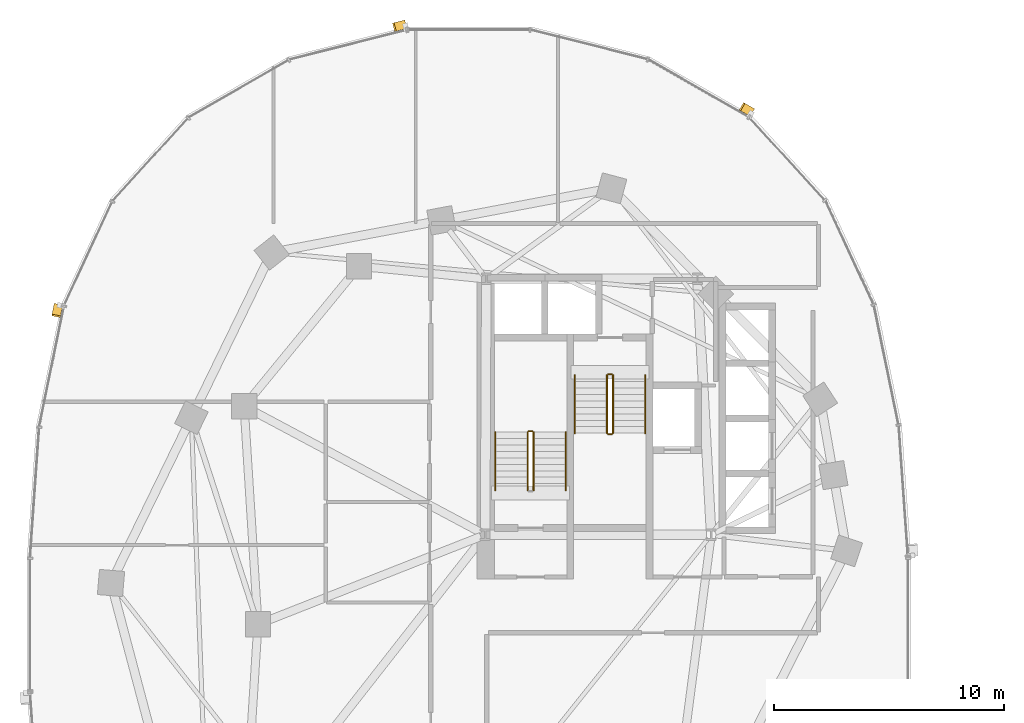
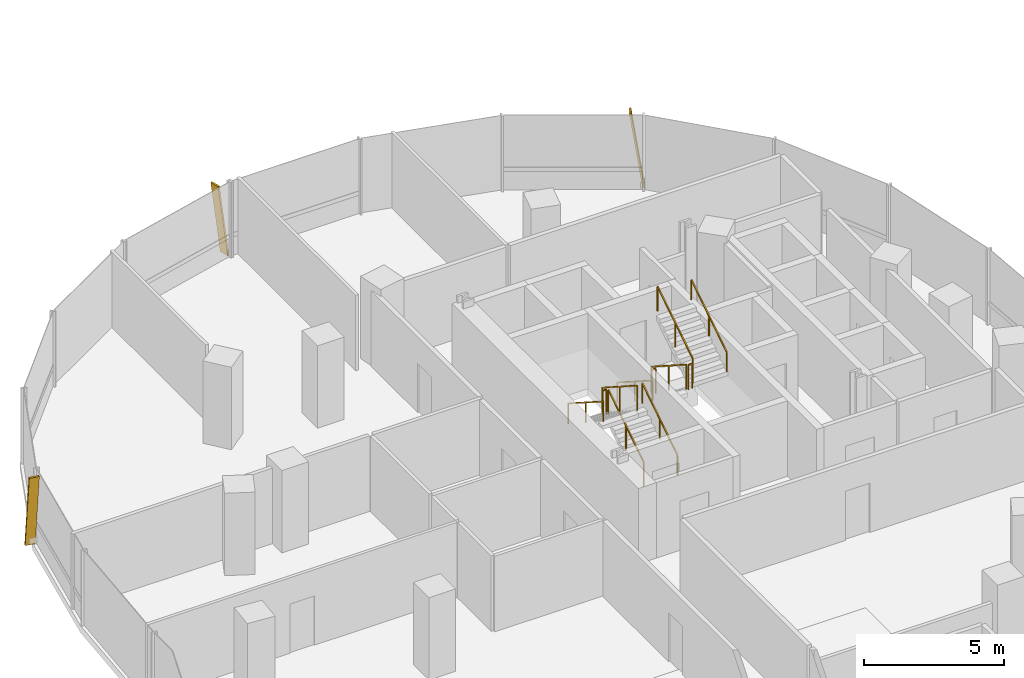
# One storey, part 19 of 21: 11 railings, 3 shading devices.
"""IFC4 building model written with IfcOpenShell, lengths in metres."""

from ifc_helpers import new_model, si_unit, direction, frame, origin, origin_2d, place, context, subcontext, project, spatial, rectangle, extrude, material, material_profile, profile_set, type_object, element, save


model = new_model("IFC4")

# Units and contexts
model_context = context("Model", 3, precision=1e-05, world=origin(), true_north=direction((0.0, 1.0)))
body_context = subcontext(model_context, "Body", "Model", "MODEL_VIEW")
ifc_project = project(units=[si_unit("LENGTHUNIT", "METRE"), si_unit("AREAUNIT", "SQUARE_METRE"), si_unit("VOLUMEUNIT", "CUBIC_METRE"), si_unit("PLANEANGLEUNIT", "RADIAN"), si_unit("MASSUNIT", "GRAM", prefix="KILO"), si_unit("THERMODYNAMICTEMPERATUREUNIT", "KELVIN"), si_unit("POWERUNIT", "WATT")], contexts=[model_context])

# Site, building, storey
site_placement = place(None, origin())
site = spatial("IfcSite", under=ifc_project, at=site_placement, CompositionType="ELEMENT")
building_placement = place(site_placement, origin())
building = spatial("IfcBuilding", under=site, at=building_placement, Name="Cundina Bronze Exchange", CompositionType="ELEMENT")
storey_placement = place(building_placement, frame((0.0, 0.0, 92.60009765625)))
storey = spatial("IfcBuildingStorey", under=building, at=storey_placement, Name="L23", CompositionType="ELEMENT", Elevation=92.60009765625)

# Railings
ifc_material_1 = material(Name="Steel ASTM A36 Painted", Category="steel")
railing_type_1 = type_object("IfcRailingType", Name="RLG-HND-900", PredefinedType="HANDRAIL", material=ifc_material_1)
railing_1_placement = place(storey_placement, frame((-27.7900390625, 5.85009765625, 0.179931640625)))
element("IfcRailing", 1, at=railing_1_placement, inside=storey, type_object=railing_type_1, Name="L23 ST-W1 stair handrail 1", PredefinedType="HANDRAIL", context=body_context, shape_type="SweptSolid", body=[
    extrude(rectangle(XDim=0.048095703125, YDim=0.048095703125, at=origin_2d()), frame((0.0, 0.0, 0.8759765625), z_axis=(0.0, 0.841199657755, 0.540724639528), x_axis=(-1.0, 0.0, 0.0)), (0.0, 0.0, 1.0), 2.995849609375),
    extrude(rectangle(XDim=0.0419921875, YDim=0.0419921875, at=origin_2d()), origin(), (0.0, 0.0, 1.0), 0.851806640625),
    extrude(rectangle(XDim=0.0419921875, YDim=0.0419921875, at=origin_2d()), frame((0.0, 1.260009765625, 0.81005859375)), (0.0, 0.0, 1.0), 0.851806640625),
    extrude(rectangle(XDim=0.0419921875, YDim=0.0419921875, at=origin_2d()), frame((0.0, 2.52001953125, 1.619873046875)), (0.0, 0.0, 1.0), 0.851806640625),
])
for number, where, name in (
    (2, (-30.85009765625, 8.3701171875, 1.97998046875), "L23 ST-W1 stair handrail 2"),
    (3, (-27.389892578125, 10.85009765625, 0.179931640625), "L23 ST-W2 stair handrail 1"),
):
    element("IfcRailing", number, at=place(storey_placement, frame(where)), inside=storey, type_object=railing_type_1, Name=name, PredefinedType="HANDRAIL", context=body_context, shape_type="SweptSolid", body=[
        extrude(rectangle(XDim=0.048095703125, YDim=0.048095703125, at=origin_2d()), frame((0.0, 0.0, 0.8759765625), z_axis=(0.0, -0.841199657755, 0.540724639528), x_axis=(1.0, 0.0, 0.0)), (0.0, 0.0, 1.0), 2.995849609375),
        extrude(rectangle(XDim=0.0419921875, YDim=0.0419921875, at=origin_2d()), origin(), (0.0, 0.0, 1.0), 0.851806640625),
        extrude(rectangle(XDim=0.0419921875, YDim=0.0419921875, at=origin_2d()), frame((0.0, -1.260009765625, 0.81005859375)), (0.0, 0.0, 1.0), 0.851806640625),
        extrude(rectangle(XDim=0.0419921875, YDim=0.0419921875, at=origin_2d()), frame((0.0, -2.52001953125, 1.619873046875)), (0.0, 0.0, 1.0), 0.851806640625),
    ])
railing_2_placement = place(storey_placement, frame((-24.330078125, 8.330078125, 1.97998046875)))
element("IfcRailing", 4, at=railing_2_placement, inside=storey, type_object=railing_type_1, Name="L23 ST-W2 stair handrail 2", PredefinedType="HANDRAIL", context=body_context, shape_type="SweptSolid", body=[
    extrude(rectangle(XDim=0.048095703125, YDim=0.048095703125, at=origin_2d()), frame((0.0, 0.0, 0.8759765625), z_axis=(0.0, 0.841199657755, 0.540724639528), x_axis=(-1.0, 0.0, 0.0)), (0.0, 0.0, 1.0), 2.995849609375),
    extrude(rectangle(XDim=0.0419921875, YDim=0.0419921875, at=origin_2d()), origin(), (0.0, 0.0, 1.0), 0.851806640625),
    extrude(rectangle(XDim=0.0419921875, YDim=0.0419921875, at=origin_2d()), frame((0.0, 1.260009765625, 0.81005859375)), (0.0, 0.0, 1.0), 0.851806640625),
    extrude(rectangle(XDim=0.0419921875, YDim=0.0419921875, at=origin_2d()), frame((0.0, 2.52001953125, 1.619873046875)), (0.0, 0.0, 1.0), 0.851806640625),
])
railing_type_2 = type_object("IfcRailingType", Name="RLG-STG-1100", PredefinedType="GUARDRAIL", material=ifc_material_1)
railing_3_placement = place(storey_placement, frame((-29.18994140625, 5.85009765625, 0.179931640625)))
element("IfcRailing", 5, at=railing_3_placement, inside=storey, type_object=railing_type_2, Name="L23 ST-W1 stair guard 1", PredefinedType="GUARDRAIL", context=body_context, shape_type="SweptSolid", body=[
    extrude(rectangle(XDim=0.048095703125, YDim=0.048095703125, at=origin_2d()), frame((0.0, 0.0, 1.076171875), z_axis=(0.0, 0.841199657755, 0.540724639528), x_axis=(-1.0, 0.0, 0.0)), (0.0, 0.0, 1.0), 2.995849609375),
    extrude(rectangle(XDim=0.0419921875, YDim=0.0419921875, at=origin_2d()), origin(), (0.0, 0.0, 1.0), 1.052001953125),
    extrude(rectangle(XDim=0.0419921875, YDim=0.0419921875, at=origin_2d()), frame((0.0, 1.260009765625, 0.81005859375)), (0.0, 0.0, 1.0), 1.052001953125),
    extrude(rectangle(XDim=0.0419921875, YDim=0.0419921875, at=origin_2d()), frame((0.0, 2.52001953125, 1.619873046875)), (0.0, 0.0, 1.0), 1.052001953125),
])
railing_4_placement = place(storey_placement, frame((-29.239990234375, 8.419921875, 1.7998046875)))
element("IfcRailing", 6, at=railing_4_placement, inside=storey, type_object=railing_type_2, Name="L23 ST-W1 stair guard 2", PredefinedType="GUARDRAIL", context=body_context, shape_type="SweptSolid", body=[
    extrude(rectangle(XDim=0.048095703125, YDim=0.048095703125, at=origin_2d()), frame((0.0, 0.0, 1.076171875), z_axis=(-1.0, 0.0, 0.0), x_axis=(0.0, -1.0, 0.0)), (0.0, 0.0, 1.0), 0.159912109375),
    extrude(rectangle(XDim=0.0419921875, YDim=0.0419921875, at=origin_2d()), origin(), (0.0, 0.0, 1.0), 1.052001953125),
    extrude(rectangle(XDim=0.0419921875, YDim=0.0419921875, at=origin_2d()), frame((-0.159912109375, 0.0, 0.0)), (0.0, 0.0, 1.0), 1.052001953125),
])
for number, where, name in (
    (7, (-29.449951171875, 8.3701171875, 1.97998046875), "L23 ST-W1 stair guard 3"),
    (8, (-25.989990234375, 10.85009765625, 0.179931640625), "L23 ST-W2 stair guard 1"),
):
    element("IfcRailing", number, at=place(storey_placement, frame(where)), inside=storey, type_object=railing_type_2, Name=name, PredefinedType="GUARDRAIL", context=body_context, shape_type="SweptSolid", body=[
        extrude(rectangle(XDim=0.048095703125, YDim=0.048095703125, at=origin_2d()), frame((0.0, 0.0, 1.076171875), z_axis=(0.0, -0.841199657755, 0.540724639528), x_axis=(1.0, 0.0, 0.0)), (0.0, 0.0, 1.0), 2.995849609375),
        extrude(rectangle(XDim=0.0419921875, YDim=0.0419921875, at=origin_2d()), origin(), (0.0, 0.0, 1.0), 1.052001953125),
        extrude(rectangle(XDim=0.0419921875, YDim=0.0419921875, at=origin_2d()), frame((0.0, -1.260009765625, 0.81005859375)), (0.0, 0.0, 1.0), 1.052001953125),
        extrude(rectangle(XDim=0.0419921875, YDim=0.0419921875, at=origin_2d()), frame((0.0, -2.52001953125, 1.619873046875)), (0.0, 0.0, 1.0), 1.052001953125),
    ])
railing_5_placement = place(storey_placement, frame((-25.93994140625, 8.280029296875, 1.7998046875)))
element("IfcRailing", 9, at=railing_5_placement, inside=storey, type_object=railing_type_2, Name="L23 ST-W2 stair guard 2", PredefinedType="GUARDRAIL", context=body_context, shape_type="SweptSolid", body=[
    extrude(rectangle(XDim=0.048095703125, YDim=0.048095703125, at=origin_2d()), frame((0.0, 0.0, 1.076171875), z_axis=(1.0, 0.0, 0.0), x_axis=(0.0, 1.0, 0.0)), (0.0, 0.0, 1.0), 0.159912109375),
    extrude(rectangle(XDim=0.0419921875, YDim=0.0419921875, at=origin_2d()), origin(), (0.0, 0.0, 1.0), 1.052001953125),
    extrude(rectangle(XDim=0.0419921875, YDim=0.0419921875, at=origin_2d()), frame((0.159912109375, 0.0, 0.0)), (0.0, 0.0, 1.0), 1.052001953125),
])
railing_6_placement = place(storey_placement, frame((-25.72998046875, 8.330078125, 1.97998046875)))
element("IfcRailing", 10, at=railing_6_placement, inside=storey, type_object=railing_type_2, Name="L23 ST-W2 stair guard 3", PredefinedType="GUARDRAIL", context=body_context, shape_type="SweptSolid", body=[
    extrude(rectangle(XDim=0.048095703125, YDim=0.048095703125, at=origin_2d()), frame((0.0, 0.0, 1.076171875), z_axis=(0.0, 0.841199657755, 0.540724639528), x_axis=(-1.0, 0.0, 0.0)), (0.0, 0.0, 1.0), 2.995849609375),
    extrude(rectangle(XDim=0.0419921875, YDim=0.0419921875, at=origin_2d()), origin(), (0.0, 0.0, 1.0), 1.052001953125),
    extrude(rectangle(XDim=0.0419921875, YDim=0.0419921875, at=origin_2d()), frame((0.0, 1.260009765625, 0.81005859375)), (0.0, 0.0, 1.0), 1.052001953125),
    extrude(rectangle(XDim=0.0419921875, YDim=0.0419921875, at=origin_2d()), frame((0.0, 2.52001953125, 1.619873046875)), (0.0, 0.0, 1.0), 1.052001953125),
])
railing_7_placement = place(storey_placement, frame((-25.93994140625, 10.89990234375, 0.0)))
element("IfcRailing", 11, at=railing_7_placement, inside=storey, type_object=railing_type_2, Name="L23 ST-W2 stair guard 4", PredefinedType="GUARDRAIL", context=body_context, shape_type="SweptSolid", body=[
    extrude(rectangle(XDim=0.048095703125, YDim=0.048095703125, at=origin_2d()), frame((0.0, 0.0, 1.076171875), z_axis=(1.0, 0.0, 0.0), x_axis=(0.0, 1.0, 0.0)), (0.0, 0.0, 1.0), 0.159912109375),
    extrude(rectangle(XDim=0.0419921875, YDim=0.0419921875, at=origin_2d()), origin(), (0.0, 0.0, 1.0), 1.052001953125),
    extrude(rectangle(XDim=0.0419921875, YDim=0.0419921875, at=origin_2d()), frame((0.159912109375, 0.0, 0.0)), (0.0, 0.0, 1.0), 1.052001953125),
])

# Shading devices
ifc_material_2 = material(Name="Anodised Bronze Aluminium 6063-T6", Category="aluminium")
ifc_material_profile = material_profile(ifc_material_2, rectangle(XDim=0.070068359375, YDim=0.3798828125, at=origin_2d()), Name="FIN70X380", Category="aluminium")
ifc_profile_set = profile_set([ifc_material_profile], Name="Anodised Bronze Aluminium 6063-T6")
shading_device_type = type_object("IfcShadingDeviceType", Name="SHD-FIN-BRZ380", PredefinedType="USERDEFINED", material=ifc_profile_set)
for number, where, z_axis, x_axis, name in (
    (12, (-19.685791015625, 22.314208984375, 0.02001953125), (-0.126333952546, 0.072540140494, 0.989331926328), (0.857956914638, -0.492633325179, 0.145678891912), "L23 Diagonal Bronze Solar Fin 5"),
    (13, (-34.787353515625, 26.138427734375, 0.02001953125), (-0.141227399308, -0.035714379048, 0.989332757374), (0.959138992792, 0.242552463025, 0.145673248011), "L23 Diagonal Bronze Solar Fin 1"),
    (14, (-49.89599609375, 13.911865234375, 0.02001953125), (-0.029416044726, -0.142708569627, 0.98932752942), (0.199727902789, 0.968957029654, 0.14570874899), "L23 Diagonal Bronze Solar Fin 5"),
):
    element("IfcShadingDevice", number, at=place(storey_placement, frame(where, z_axis=z_axis, x_axis=x_axis)), inside=storey, type_object=shading_device_type, Name=name, ObjectType="FIN", PredefinedType="USERDEFINED", context=body_context, shape_type="SweptSolid", body=[
        extrude(rectangle(XDim=0.070068359375, YDim=0.3798828125, at=origin_2d()), origin(), (0.0, 0.0, 1.0), 3.294921875),
    ])

save(model, "model.ifc")
